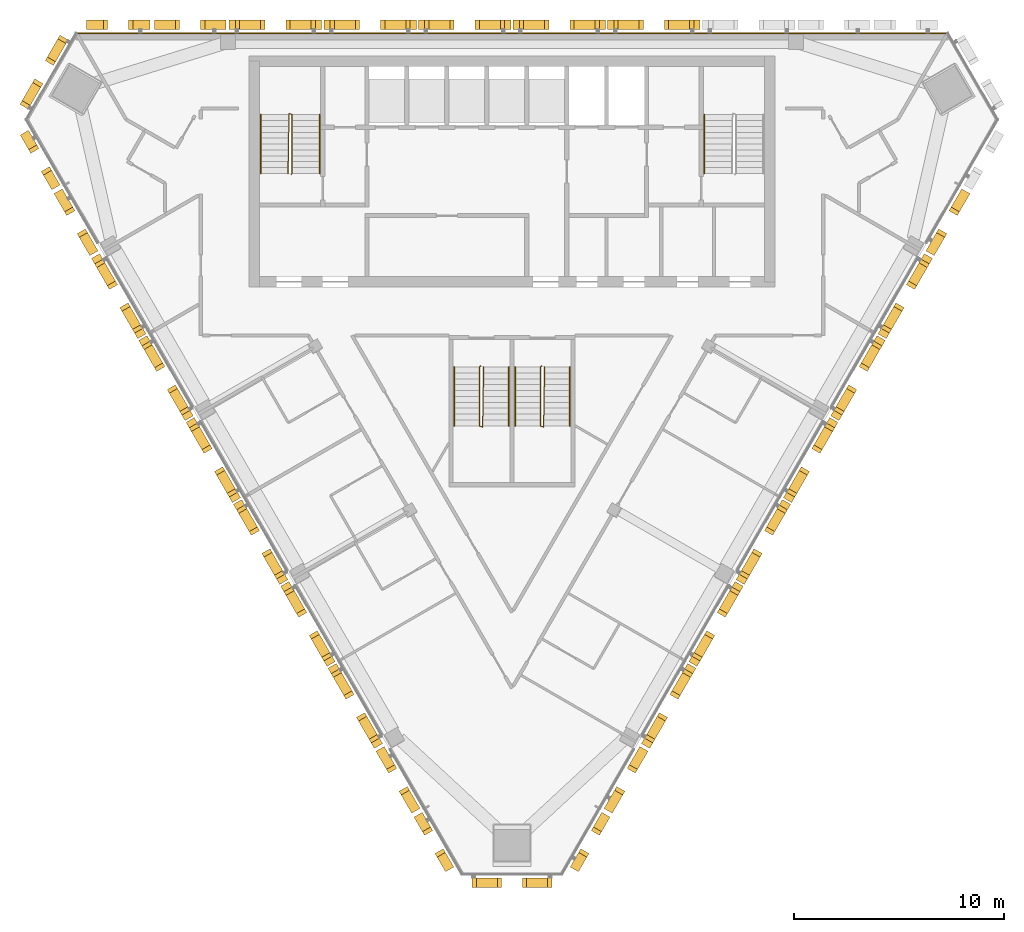
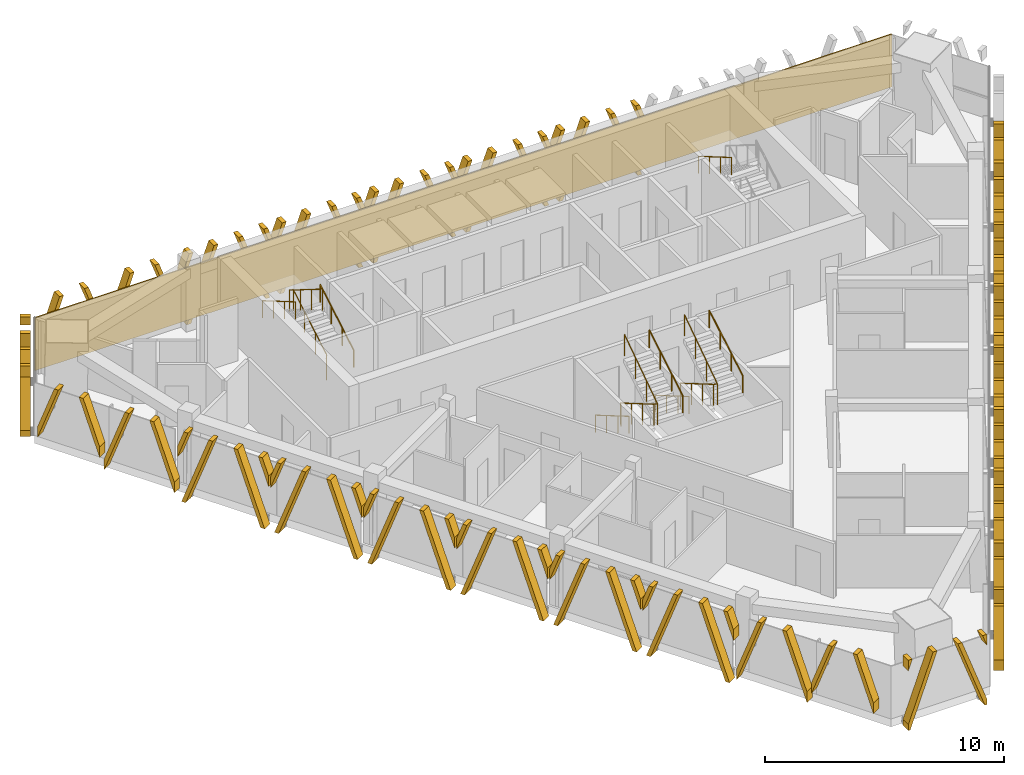
# One storey, part 12 of 14: 28 shading devices, 10 railings, 1 covering.
"""IFC4 building model written with IfcOpenShell, lengths in metres."""

from ifc_helpers import new_model, si_unit, direction, frame, frame_2d, origin, origin_2d, place, context, subcontext, project, spatial, polyline, rectangle, circle, outline, extrude, source, transform, mapped, material, layer, layer_set, type_object, element, save


model = new_model("IFC4")

# Units and contexts
model_context = context("Model", 3, precision=1e-05, world=origin(), true_north=direction((0.0, 1.0)))
body_context = subcontext(model_context, "Body", "Model", "MODEL_VIEW")
ifc_project = project(units=[si_unit("LENGTHUNIT", "METRE"), si_unit("AREAUNIT", "SQUARE_METRE"), si_unit("VOLUMEUNIT", "CUBIC_METRE"), si_unit("PLANEANGLEUNIT", "RADIAN"), si_unit("MASSUNIT", "GRAM", prefix="KILO")], contexts=[model_context])

# Site, building, storey
site_placement = place(None, origin())
site = spatial("IfcSite", under=ifc_project, at=site_placement, CompositionType="ELEMENT")
building_placement = place(site_placement, origin())
building = spatial("IfcBuilding", under=site, at=building_placement, Name="Altiplano Prism Tower", CompositionType="ELEMENT")
storey_placement = place(building_placement, frame((0.0, 0.0, 271.60009765625)))
storey = spatial("IfcBuildingStorey", under=building, at=storey_placement, Name="L70", CompositionType="ELEMENT", Elevation=271.60009765625)

# Railings
ifc_material_1 = material(Name="Steel S355", Category="steel")
railing_type_1 = type_object("IfcRailingType", Name="Stair guard 1100", PredefinedType="GUARDRAIL", material=ifc_material_1)
railing_1_placement = place(storey_placement, frame((74.5, 98.25, 0.0)))
element("IfcRailing", 1, at=railing_1_placement, inside=storey, type_object=railing_type_1, Name="L70 ST1 stair guard 1", PredefinedType="GUARDRAIL", context=body_context, shape_type="SweptSolid", body=[
    extrude(circle(Radius=0.02392578125, at=origin_2d()), frame((0.0, 0.0, 1.076171875), z_axis=(0.280808744504, 0.280808744504, 0.917765164963), x_axis=(-0.707106781187, 0.707106781187, 0.0)), (0.0, 0.0, 1.0), 0.17822265625),
    extrude(circle(Radius=0.02392578125, at=origin_2d()), frame((0.050048828125, 0.050048828125, 1.23974609375), z_axis=(0.0, 0.863393664356, 0.504530851732), x_axis=(-1.0, 0.0, 0.0)), (0.0, 0.0, 1.0), 3.2431640625),
    extrude(circle(Radius=0.02392578125, at=origin_2d()), frame((0.050048828125, 2.85009765625, 2.8759765625), z_axis=(-0.949145278916, 0.314838433982, 0.0), x_axis=(-0.314838433982, -0.949145278916, 0.0)), (0.0, 0.0, 1.0), 0.158203125),
    extrude(circle(Radius=0.02392578125, at=origin_2d()), frame((-0.10009765625, 2.89990234375, 2.8759765625), z_axis=(-0.01477401265, -0.845377694409, 0.533964682676), x_axis=(0.999847325713, -0.01747355902, 0.0)), (0.0, 0.0, 1.0), 3.37109375),
    extrude(circle(Radius=0.02099609375, at=origin_2d()), origin(), (0.0, 0.0, 1.0), 1.052001953125),
    extrude(circle(Radius=0.02099609375, at=origin_2d()), frame((0.050048828125, 0.050048828125, 0.16357421875)), (0.0, 0.0, 1.0), 1.052001953125),
    extrude(circle(Radius=0.02099609375, at=origin_2d()), frame((0.050048828125, 0.9833984375, 0.708984375)), (0.0, 0.0, 1.0), 1.052001953125),
    extrude(circle(Radius=0.02099609375, at=origin_2d()), frame((0.050048828125, 1.916748046875, 1.25439453125)), (0.0, 0.0, 1.0), 1.052001953125),
    extrude(circle(Radius=0.02099609375, at=origin_2d()), frame((0.050048828125, 2.85009765625, 1.7998046875)), (0.0, 0.0, 1.0), 1.052001953125),
    extrude(circle(Radius=0.02099609375, at=origin_2d()), frame((-0.10009765625, 2.89990234375, 1.7998046875)), (0.0, 0.0, 1.0), 1.052001953125),
    extrude(circle(Radius=0.02099609375, at=origin_2d()), frame((-0.11669921875, 1.949951171875, 2.39990234375)), (0.0, 0.0, 1.0), 1.052001953125),
    extrude(circle(Radius=0.02099609375, at=origin_2d()), frame((-0.13330078125, 1.0, 2.999755859375)), (0.0, 0.0, 1.0), 1.052001953125),
    extrude(circle(Radius=0.02099609375, at=origin_2d()), frame((-0.14990234375, 0.050048828125, 3.599853515625)), (0.0, 0.0, 1.0), 1.052001953125),
])
railing_2_placement = place(storey_placement, frame((83.5, 89.14990234375, 0.0)))
element("IfcRailing", 2, at=railing_2_placement, inside=storey, type_object=railing_type_1, Name="L70 ST3A stair guard 1", PredefinedType="GUARDRAIL", context=body_context, shape_type="SweptSolid", body=[
    extrude(circle(Radius=0.02392578125, at=origin_2d()), frame((0.0, 0.0, 1.076171875), z_axis=(-0.280916556609, -0.279546231943, 0.91811752648), x_axis=(0.705375805398, -0.708833529934, 0.0)), (0.0, 0.0, 1.0), 0.17822265625),
    extrude(circle(Radius=0.02392578125, at=origin_2d()), frame((-0.050048828125, -0.0498046875, 1.23974609375), z_axis=(0.0, -0.863393664356, 0.504530851732), x_axis=(1.0, 0.0, 0.0)), (0.0, 0.0, 1.0), 3.2431640625),
    extrude(circle(Radius=0.02392578125, at=origin_2d()), frame((-0.050048828125, -2.849853515625, 2.8759765625), z_axis=(0.948683298051, -0.316227766017, 0.0), x_axis=(0.316227766017, 0.948683298051, 0.0)), (0.0, 0.0, 1.0), 0.158203125),
    extrude(circle(Radius=0.02392578125, at=origin_2d()), frame((0.10009765625, -2.89990234375, 2.8759765625), z_axis=(0.014773108175, 0.84539835705, 0.533931993021), x_axis=(-0.999847351862, 0.017472062685, 0.0)), (0.0, 0.0, 1.0), 3.371337890625),
    extrude(circle(Radius=0.02099609375, at=origin_2d()), origin(), (0.0, 0.0, 1.0), 1.052001953125),
    extrude(circle(Radius=0.02099609375, at=origin_2d()), frame((-0.050048828125, -0.0498046875, 0.16357421875)), (0.0, 0.0, 1.0), 1.052001953125),
    extrude(circle(Radius=0.02099609375, at=origin_2d()), frame((-0.050048828125, -0.983154296875, 0.708984375)), (0.0, 0.0, 1.0), 1.052001953125),
    extrude(circle(Radius=0.02099609375, at=origin_2d()), frame((-0.050048828125, -1.91650390625, 1.25439453125)), (0.0, 0.0, 1.0), 1.052001953125),
    extrude(circle(Radius=0.02099609375, at=origin_2d()), frame((-0.050048828125, -2.849853515625, 1.7998046875)), (0.0, 0.0, 1.0), 1.052001953125),
    extrude(circle(Radius=0.02099609375, at=origin_2d()), frame((0.10009765625, -2.89990234375, 1.7998046875)), (0.0, 0.0, 1.0), 1.052001953125),
    extrude(circle(Radius=0.02099609375, at=origin_2d()), frame((0.11669921875, -1.949951171875, 2.39990234375)), (0.0, 0.0, 1.0), 1.052001953125),
    extrude(circle(Radius=0.02099609375, at=origin_2d()), frame((0.13330078125, -0.999755859375, 2.999755859375)), (0.0, 0.0, 1.0), 1.052001953125),
    extrude(circle(Radius=0.02099609375, at=origin_2d()), frame((0.14990234375, -0.0498046875, 3.599853515625)), (0.0, 0.0, 1.0), 1.052001953125),
])
railing_3_placement = place(storey_placement, frame((86.39990234375, 89.14990234375, 0.0)))
element("IfcRailing", 3, at=railing_3_placement, inside=storey, type_object=railing_type_1, Name="L70 ST3B stair guard 1", PredefinedType="GUARDRAIL", context=body_context, shape_type="SweptSolid", body=[
    extrude(circle(Radius=0.02392578125, at=origin_2d()), frame((0.0, 0.0, 1.076171875), z_axis=(-0.279653641804, -0.279653641804, 0.918470294159), x_axis=(0.707106781187, -0.707106781187, 0.0)), (0.0, 0.0, 1.0), 0.177978515625),
    extrude(circle(Radius=0.02392578125, at=origin_2d()), frame((-0.0498046875, -0.0498046875, 1.23974609375), z_axis=(0.0, -0.863393664356, 0.504530851732), x_axis=(1.0, 0.0, 0.0)), (0.0, 0.0, 1.0), 3.2431640625),
    extrude(circle(Radius=0.02392578125, at=origin_2d()), frame((-0.0498046875, -2.849853515625, 2.8759765625), z_axis=(0.948528701346, -0.316691178788, 0.0), x_axis=(0.316691178788, 0.948528701346, 0.0)), (0.0, 0.0, 1.0), 0.157958984375),
    extrude(circle(Radius=0.02392578125, at=origin_2d()), frame((0.10009765625, -2.89990234375, 2.8759765625), z_axis=(0.014845509451, 0.845397450405, 0.533931420407), x_axis=(-0.999845851991, 0.017557683712, 0.0)), (0.0, 0.0, 1.0), 3.371337890625),
    extrude(circle(Radius=0.02099609375, at=origin_2d()), origin(), (0.0, 0.0, 1.0), 1.052001953125),
    extrude(circle(Radius=0.02099609375, at=origin_2d()), frame((-0.0498046875, -0.0498046875, 0.16357421875)), (0.0, 0.0, 1.0), 1.052001953125),
    extrude(circle(Radius=0.02099609375, at=origin_2d()), frame((-0.0498046875, -0.983154296875, 0.708984375)), (0.0, 0.0, 1.0), 1.052001953125),
    extrude(circle(Radius=0.02099609375, at=origin_2d()), frame((-0.0498046875, -1.91650390625, 1.25439453125)), (0.0, 0.0, 1.0), 1.052001953125),
    extrude(circle(Radius=0.02099609375, at=origin_2d()), frame((-0.0498046875, -2.849853515625, 1.7998046875)), (0.0, 0.0, 1.0), 1.052001953125),
    extrude(circle(Radius=0.02099609375, at=origin_2d()), frame((0.10009765625, -2.89990234375, 1.7998046875)), (0.0, 0.0, 1.0), 1.052001953125),
    extrude(circle(Radius=0.02099609375, at=origin_2d()), frame((0.11669921875, -1.949951171875, 2.39990234375)), (0.0, 0.0, 1.0), 1.052001953125),
    extrude(circle(Radius=0.02099609375, at=origin_2d()), frame((0.133544921875, -0.999755859375, 2.999755859375)), (0.0, 0.0, 1.0), 1.052001953125),
    extrude(circle(Radius=0.02099609375, at=origin_2d()), frame((0.150146484375, -0.0498046875, 3.599853515625)), (0.0, 0.0, 1.0), 1.052001953125),
])
railing_type_2 = type_object("IfcRailingType", Name="Stair handrail 900", PredefinedType="HANDRAIL", material=ifc_material_1)
railing_4_placement = place(storey_placement, frame((75.85009765625, 98.300048828125, 0.16357421875)))
element("IfcRailing", 4, at=railing_4_placement, inside=storey, type_object=railing_type_2, Name="L70 ST1 stair handrail 1", PredefinedType="HANDRAIL", context=body_context, shape_type="SweptSolid", body=[
    extrude(circle(Radius=0.02392578125, at=origin_2d()), frame((0.0, 0.0, 0.8759765625), z_axis=(0.0, 0.863393664356, 0.504530851732), x_axis=(-1.0, 0.0, 0.0)), (0.0, 0.0, 1.0), 3.2431640625),
    extrude(circle(Radius=0.02099609375, at=origin_2d()), origin(), (0.0, 0.0, 1.0), 0.851806640625),
    extrude(circle(Radius=0.02099609375, at=origin_2d()), frame((0.0, 0.933349609375, 0.54541015625)), (0.0, 0.0, 1.0), 0.851806640625),
    extrude(circle(Radius=0.02099609375, at=origin_2d()), frame((0.0, 1.86669921875, 1.0908203125)), (0.0, 0.0, 1.0), 0.851806640625),
    extrude(circle(Radius=0.02099609375, at=origin_2d()), frame((0.0, 2.800048828125, 1.63623046875)), (0.0, 0.0, 1.0), 0.851806640625),
])
for number, where, name in (
    (5, (73.050048828125, 101.10009765625, 1.963623046875), "L70 ST1 stair handrail 2"),
    (6, (94.14990234375, 101.10009765625, 1.963623046875), "L70 ST2 stair handrail 2"),
    (7, (82.25, 89.10009765625, 0.16357421875), "L70 ST3A stair handrail 1"),
):
    element("IfcRailing", number, at=place(storey_placement, frame(where)), inside=storey, type_object=railing_type_2, Name=name, PredefinedType="HANDRAIL", context=body_context, shape_type="SweptSolid", body=[
        extrude(circle(Radius=0.02392578125, at=origin_2d()), frame((0.0, 0.0, 0.8759765625), z_axis=(0.0, -0.863393664356, 0.504530851732), x_axis=(1.0, 0.0, 0.0)), (0.0, 0.0, 1.0), 3.2431640625),
        extrude(circle(Radius=0.02099609375, at=origin_2d()), origin(), (0.0, 0.0, 1.0), 0.851806640625),
        extrude(circle(Radius=0.02099609375, at=origin_2d()), frame((0.0, -0.933349609375, 0.54541015625)), (0.0, 0.0, 1.0), 0.851806640625),
        extrude(circle(Radius=0.02099609375, at=origin_2d()), frame((0.0, -1.86669921875, 1.0908203125)), (0.0, 0.0, 1.0), 0.851806640625),
        extrude(circle(Radius=0.02099609375, at=origin_2d()), frame((0.0, -2.800048828125, 1.63623046875)), (0.0, 0.0, 1.0), 0.851806640625),
    ])
railing_5_placement = place(storey_placement, frame((84.85009765625, 86.300048828125, 1.963623046875)))
element("IfcRailing", 8, at=railing_5_placement, inside=storey, type_object=railing_type_2, Name="L70 ST3A stair handrail 2", PredefinedType="HANDRAIL", context=body_context, shape_type="SweptSolid", body=[
    extrude(circle(Radius=0.02392578125, at=origin_2d()), frame((0.0, 0.0, 0.8759765625), z_axis=(0.0, 0.863393664356, 0.504530851732), x_axis=(-1.0, 0.0, 0.0)), (0.0, 0.0, 1.0), 3.2431640625),
    extrude(circle(Radius=0.02099609375, at=origin_2d()), origin(), (0.0, 0.0, 1.0), 0.851806640625),
    extrude(circle(Radius=0.02099609375, at=origin_2d()), frame((0.0, 0.933349609375, 0.54541015625)), (0.0, 0.0, 1.0), 0.851806640625),
    extrude(circle(Radius=0.02099609375, at=origin_2d()), frame((0.0, 1.86669921875, 1.0908203125)), (0.0, 0.0, 1.0), 0.851806640625),
    extrude(circle(Radius=0.02099609375, at=origin_2d()), frame((0.0, 2.800048828125, 1.63623046875)), (0.0, 0.0, 1.0), 0.851806640625),
])
railing_6_placement = place(storey_placement, frame((85.14990234375, 89.10009765625, 0.16357421875)))
element("IfcRailing", 9, at=railing_6_placement, inside=storey, type_object=railing_type_2, Name="L70 ST3B stair handrail 1", PredefinedType="HANDRAIL", context=body_context, shape_type="SweptSolid", body=[
    extrude(circle(Radius=0.02392578125, at=origin_2d()), frame((0.0, 0.0, 0.8759765625), z_axis=(0.0, -0.863393664356, 0.504530851732), x_axis=(1.0, 0.0, 0.0)), (0.0, 0.0, 1.0), 3.2431640625),
    extrude(circle(Radius=0.02099609375, at=origin_2d()), origin(), (0.0, 0.0, 1.0), 0.851806640625),
    extrude(circle(Radius=0.02099609375, at=origin_2d()), frame((0.0, -0.933349609375, 0.54541015625)), (0.0, 0.0, 1.0), 0.851806640625),
    extrude(circle(Radius=0.02099609375, at=origin_2d()), frame((0.0, -1.86669921875, 1.0908203125)), (0.0, 0.0, 1.0), 0.851806640625),
    extrude(circle(Radius=0.02099609375, at=origin_2d()), frame((0.0, -2.800048828125, 1.63623046875)), (0.0, 0.0, 1.0), 0.851806640625),
])
railing_7_placement = place(storey_placement, frame((87.75, 86.300048828125, 1.963623046875)))
element("IfcRailing", 10, at=railing_7_placement, inside=storey, type_object=railing_type_2, Name="L70 ST3B stair handrail 2", PredefinedType="HANDRAIL", context=body_context, shape_type="SweptSolid", body=[
    extrude(circle(Radius=0.02392578125, at=origin_2d()), frame((0.0, 0.0, 0.8759765625), z_axis=(0.0, 0.863393664356, 0.504530851732), x_axis=(-1.0, 0.0, 0.0)), (0.0, 0.0, 1.0), 3.2431640625),
    extrude(circle(Radius=0.02099609375, at=origin_2d()), origin(), (0.0, 0.0, 1.0), 0.851806640625),
    extrude(circle(Radius=0.02099609375, at=origin_2d()), frame((0.0, 0.933349609375, 0.54541015625)), (0.0, 0.0, 1.0), 0.851806640625),
    extrude(circle(Radius=0.02099609375, at=origin_2d()), frame((0.0, 1.86669921875, 1.0908203125)), (0.0, 0.0, 1.0), 0.851806640625),
    extrude(circle(Radius=0.02099609375, at=origin_2d()), frame((0.0, 2.800048828125, 1.63623046875)), (0.0, 0.0, 1.0), 0.851806640625),
])

# Covering
ifc_material_2 = material(Name="Warm limestone cast stone", Category="masonry")
ifc_layer = layer(ifc_material_2, 0.06005859375)
ifc_layer_set = layer_set([ifc_layer], Name="Warm limestone cast stone")
covering_type = type_object("IfcCoveringType", Name="Stone cladding 60", PredefinedType="CLADDING", material=ifc_layer_set)
covering_placement = place(storey_placement, frame((64.266845703125, 104.969970703125, 0.0), z_axis=(0.0, 0.0, 1.0), x_axis=(1.0, 0.0, 0.0)))
element("IfcCovering", 11, at=covering_placement, inside=storey, type_object=covering_type, Name="Stone cladding north face L70", PredefinedType="CLADDING", context=body_context, shape_type="SweptSolid", body=[
    extrude(rectangle(XDim=41.46630859375, YDim=0.06005859375, at=frame_2d((20.733154296875, 0.0))), origin(), (0.0, 0.0, 1.0), 2.699951171875),
])

# Shading devices
shading_device_type_1 = type_object("IfcShadingDeviceType", Name="Stone fin panel, standard unit", PredefinedType="USERDEFINED", material=ifc_material_2)
shared_shape_1 = source(origin(), body_context, "Body", "SweptSolid", [
    extrude(outline(polyline([(-2.199951171875, 2.226318359375), (-1.699951171875, 3.60009765625), (-1.89990234375, 3.60009765625), (-2.199951171875, 2.77587890625), (-2.199951171875, 2.226318359375)])), frame((0.0, -0.14990234375, 0.0), z_axis=(0.0, -1.0, 0.0), x_axis=(1.0, 0.0, 0.0)), (0.0, 0.0, 1.0), 0.4501953125),
    extrude(outline(polyline([(-2.01025390625, 0.0), (-1.810302734375, 0.0), (-0.5, 3.60009765625), (-0.699951171875, 3.60009765625), (-2.01025390625, 0.0)])), frame((0.0, -0.14990234375, 0.0), z_axis=(0.0, -1.0, 0.0), x_axis=(1.0, 0.0, 0.0)), (0.0, 0.0, 1.0), 0.4501953125),
    extrude(outline(polyline([(1.810302734375, 0.0), (2.01025390625, 0.0), (0.699951171875, 3.60009765625), (0.5, 3.60009765625), (1.810302734375, 0.0)])), frame((0.0, -0.14990234375, 0.0), z_axis=(0.0, -1.0, 0.0), x_axis=(1.0, 0.0, 0.0)), (0.0, 0.0, 1.0), 0.4501953125),
    extrude(outline(polyline([(2.199951171875, 2.77587890625), (1.89990234375, 3.60009765625), (1.699951171875, 3.60009765625), (2.199951171875, 2.226318359375), (2.199951171875, 2.77587890625)])), frame((0.0, -0.14990234375, 0.0), z_axis=(0.0, -1.0, 0.0), x_axis=(1.0, 0.0, 0.0)), (0.0, 0.0, 1.0), 0.4501953125),
])
shading_device_1_placement = place(storey_placement, origin())
element("IfcShadingDevice", 12, at=shading_device_1_placement, inside=storey, type_object=shading_device_type_1, Name="Fin L70 north face 4", ObjectType="FIN", PredefinedType="USERDEFINED", context=body_context, shape_type="MappedRepresentation", body=[
    mapped(shared_shape_1, transform((91.75, 105.0, -0.400146484375), x_axis=(-1.0, 0.0, 0.0), y_axis=(0.0, -1.0, 0.0), z_axis=(0.0, 0.0, 1.0))),
])
shading_device_2_placement = place(storey_placement, origin())
element("IfcShadingDevice", 13, at=shading_device_2_placement, inside=storey, type_object=shading_device_type_1, Name="Fin L70 north face 5", ObjectType="FIN", PredefinedType="USERDEFINED", context=body_context, shape_type="MappedRepresentation", body=[
    mapped(shared_shape_1, transform((87.25, 105.0, -0.400146484375), x_axis=(-1.0, 0.0, 0.0), y_axis=(0.0, -1.0, 0.0), z_axis=(0.0, 0.0, 1.0))),
])
shading_device_3_placement = place(storey_placement, origin())
element("IfcShadingDevice", 14, at=shading_device_3_placement, inside=storey, type_object=shading_device_type_1, Name="Fin L70 north face 6", ObjectType="FIN", PredefinedType="USERDEFINED", context=body_context, shape_type="MappedRepresentation", body=[
    mapped(shared_shape_1, transform((82.75, 105.0, -0.400146484375), x_axis=(-1.0, 0.0, 0.0), y_axis=(0.0, -1.0, 0.0), z_axis=(0.0, 0.0, 1.0))),
])
shading_device_4_placement = place(storey_placement, origin())
element("IfcShadingDevice", 15, at=shading_device_4_placement, inside=storey, type_object=shading_device_type_1, Name="Fin L70 north face 7", ObjectType="FIN", PredefinedType="USERDEFINED", context=body_context, shape_type="MappedRepresentation", body=[
    mapped(shared_shape_1, transform((78.25, 105.0, -0.400146484375), x_axis=(-1.0, 0.0, 0.0), y_axis=(0.0, -1.0, 0.0), z_axis=(0.0, 0.0, 1.0))),
])
shading_device_5_placement = place(storey_placement, origin())
element("IfcShadingDevice", 16, at=shading_device_5_placement, inside=storey, type_object=shading_device_type_1, Name="Fin L70 north face 8", ObjectType="FIN", PredefinedType="USERDEFINED", context=body_context, shape_type="MappedRepresentation", body=[
    mapped(shared_shape_1, transform((73.75, 105.0, -0.400146484375), x_axis=(-1.0, 0.0, 0.0), y_axis=(0.0, -1.0, 0.0), z_axis=(0.0, 0.0, 1.0))),
])
shading_device_6_placement = place(storey_placement, origin())
element("IfcShadingDevice", 17, at=shading_device_6_placement, inside=storey, type_object=shading_device_type_1, Name="Fin L70 south-west face 3", ObjectType="FIN", PredefinedType="USERDEFINED", context=body_context, shape_type="MappedRepresentation", body=[
    mapped(shared_shape_1, transform((66.623291015625, 92.65625, -0.400146484375), x_axis=(0.499999994108, -0.866025407186, 0.0), y_axis=(0.866025407186, 0.499999994108, 0.0), z_axis=(0.0, 0.0, 1.0))),
])
shading_device_7_placement = place(storey_placement, origin())
element("IfcShadingDevice", 18, at=shading_device_7_placement, inside=storey, type_object=shading_device_type_1, Name="Fin L70 south-west face 4", ObjectType="FIN", PredefinedType="USERDEFINED", context=body_context, shape_type="MappedRepresentation", body=[
    mapped(shared_shape_1, transform((68.873291015625, 88.759033203125, -0.400146484375), x_axis=(0.499999994108, -0.866025407186, 0.0), y_axis=(0.866025407186, 0.499999994108, 0.0), z_axis=(0.0, 0.0, 1.0))),
])
shading_device_8_placement = place(storey_placement, origin())
element("IfcShadingDevice", 19, at=shading_device_8_placement, inside=storey, type_object=shading_device_type_1, Name="Fin L70 south-west face 5", ObjectType="FIN", PredefinedType="USERDEFINED", context=body_context, shape_type="MappedRepresentation", body=[
    mapped(shared_shape_1, transform((71.123291015625, 84.862060546875, -0.400146484375), x_axis=(0.499999994108, -0.866025407186, 0.0), y_axis=(0.866025407186, 0.499999994108, 0.0), z_axis=(0.0, 0.0, 1.0))),
])
shading_device_9_placement = place(storey_placement, origin())
element("IfcShadingDevice", 20, at=shading_device_9_placement, inside=storey, type_object=shading_device_type_1, Name="Fin L70 south-west face 6", ObjectType="FIN", PredefinedType="USERDEFINED", context=body_context, shape_type="MappedRepresentation", body=[
    mapped(shared_shape_1, transform((73.373291015625, 80.96484375, -0.400146484375), x_axis=(0.499999994108, -0.866025407186, 0.0), y_axis=(0.866025407186, 0.499999994108, 0.0), z_axis=(0.0, 0.0, 1.0))),
])
shading_device_10_placement = place(storey_placement, origin())
element("IfcShadingDevice", 21, at=shading_device_10_placement, inside=storey, type_object=shading_device_type_1, Name="Fin L70 south-west face 7", ObjectType="FIN", PredefinedType="USERDEFINED", context=body_context, shape_type="MappedRepresentation", body=[
    mapped(shared_shape_1, transform((75.623291015625, 77.06787109375, -0.400146484375), x_axis=(0.499999994108, -0.866025407186, 0.0), y_axis=(0.866025407186, 0.499999994108, 0.0), z_axis=(0.0, 0.0, 1.0))),
])
shading_device_11_placement = place(storey_placement, origin())
element("IfcShadingDevice", 22, at=shading_device_11_placement, inside=storey, type_object=shading_device_type_1, Name="Fin L70 south-west face 8", ObjectType="FIN", PredefinedType="USERDEFINED", context=body_context, shape_type="MappedRepresentation", body=[
    mapped(shared_shape_1, transform((77.873291015625, 73.170654296875, -0.400146484375), x_axis=(0.499999994108, -0.866025407186, 0.0), y_axis=(0.866025407186, 0.499999994108, 0.0), z_axis=(0.0, 0.0, 1.0))),
])
shading_device_12_placement = place(storey_placement, origin())
element("IfcShadingDevice", 23, at=shading_device_12_placement, inside=storey, type_object=shading_device_type_1, Name="Fin L70 south-east face 3", ObjectType="FIN", PredefinedType="USERDEFINED", context=body_context, shape_type="MappedRepresentation", body=[
    mapped(shared_shape_1, transform((92.126708984375, 73.170654296875, -0.400146484375), x_axis=(0.499999994108, 0.866025407186, 0.0), y_axis=(-0.866025407186, 0.499999994108, 0.0), z_axis=(0.0, 0.0, 1.0))),
])
shading_device_13_placement = place(storey_placement, origin())
element("IfcShadingDevice", 24, at=shading_device_13_placement, inside=storey, type_object=shading_device_type_1, Name="Fin L70 south-east face 4", ObjectType="FIN", PredefinedType="USERDEFINED", context=body_context, shape_type="MappedRepresentation", body=[
    mapped(shared_shape_1, transform((94.376708984375, 77.06787109375, -0.400146484375), x_axis=(0.499999994108, 0.866025407186, 0.0), y_axis=(-0.866025407186, 0.499999994108, 0.0), z_axis=(0.0, 0.0, 1.0))),
])
shading_device_14_placement = place(storey_placement, origin())
element("IfcShadingDevice", 25, at=shading_device_14_placement, inside=storey, type_object=shading_device_type_1, Name="Fin L70 south-east face 5", ObjectType="FIN", PredefinedType="USERDEFINED", context=body_context, shape_type="MappedRepresentation", body=[
    mapped(shared_shape_1, transform((96.626708984375, 80.96484375, -0.400146484375), x_axis=(0.499999994108, 0.866025407186, 0.0), y_axis=(-0.866025407186, 0.499999994108, 0.0), z_axis=(0.0, 0.0, 1.0))),
])
shading_device_15_placement = place(storey_placement, origin())
element("IfcShadingDevice", 26, at=shading_device_15_placement, inside=storey, type_object=shading_device_type_1, Name="Fin L70 south-east face 6", ObjectType="FIN", PredefinedType="USERDEFINED", context=body_context, shape_type="MappedRepresentation", body=[
    mapped(shared_shape_1, transform((98.876708984375, 84.862060546875, -0.400146484375), x_axis=(0.499999994108, 0.866025407186, 0.0), y_axis=(-0.866025407186, 0.499999994108, 0.0), z_axis=(0.0, 0.0, 1.0))),
])
shading_device_16_placement = place(storey_placement, origin())
element("IfcShadingDevice", 27, at=shading_device_16_placement, inside=storey, type_object=shading_device_type_1, Name="Fin L70 south-east face 7", ObjectType="FIN", PredefinedType="USERDEFINED", context=body_context, shape_type="MappedRepresentation", body=[
    mapped(shared_shape_1, transform((101.126708984375, 88.759033203125, -0.400146484375), x_axis=(0.499999994108, 0.866025407186, 0.0), y_axis=(-0.866025407186, 0.499999994108, 0.0), z_axis=(0.0, 0.0, 1.0))),
])
shading_device_17_placement = place(storey_placement, origin())
element("IfcShadingDevice", 28, at=shading_device_17_placement, inside=storey, type_object=shading_device_type_1, Name="Fin L70 south-east face 8", ObjectType="FIN", PredefinedType="USERDEFINED", context=body_context, shape_type="MappedRepresentation", body=[
    mapped(shared_shape_1, transform((103.376708984375, 92.65625, -0.400146484375), x_axis=(0.499999994108, 0.866025407186, 0.0), y_axis=(-0.866025407186, 0.499999994108, 0.0), z_axis=(0.0, 0.0, 1.0))),
])
shading_device_type_2 = type_object("IfcShadingDeviceType", Name="Stone fin panel, narrow closing bay", PredefinedType="USERDEFINED", material=ifc_material_2)
shared_shape_2 = source(origin(), body_context, "Body", "SweptSolid", [
    extrude(outline(polyline([(-1.699951171875, 0.302978515625), (-0.5, 3.60009765625), (-0.699951171875, 3.60009765625), (-1.699951171875, 0.8525390625), (-1.699951171875, 0.302978515625)])), frame((0.0, -0.14990234375, 0.0), z_axis=(0.0, -1.0, 0.0), x_axis=(1.0, 0.0, 0.0)), (0.0, 0.0, 1.0), 0.4501953125),
    extrude(outline(polyline([(1.699951171875, 0.8525390625), (0.699951171875, 3.60009765625), (0.5, 3.60009765625), (1.699951171875, 0.302978515625), (1.699951171875, 0.8525390625)])), frame((0.0, -0.14990234375, 0.0), z_axis=(0.0, -1.0, 0.0), x_axis=(1.0, 0.0, 0.0)), (0.0, 0.0, 1.0), 0.4501953125),
])
shading_device_18_placement = place(storey_placement, origin())
element("IfcShadingDevice", 29, at=shading_device_18_placement, inside=storey, type_object=shading_device_type_2, Name="Fin L70 north face 9", ObjectType="FIN", PredefinedType="USERDEFINED", context=body_context, shape_type="MappedRepresentation", body=[
    mapped(shared_shape_2, transform((69.691650390625, 105.0, -0.400146484375), x_axis=(-1.0, 0.0, 0.0), y_axis=(0.0, -1.0, 0.0), z_axis=(0.0, 0.0, 1.0))),
])
shading_device_19_placement = place(storey_placement, origin())
element("IfcShadingDevice", 30, at=shading_device_19_placement, inside=storey, type_object=shading_device_type_2, Name="Fin L70 south-west face 2", ObjectType="FIN", PredefinedType="USERDEFINED", context=body_context, shape_type="MappedRepresentation", body=[
    mapped(shared_shape_2, transform((64.59423828125, 96.1708984375, -0.400146484375), x_axis=(0.499999994108, -0.866025407186, 0.0), y_axis=(0.866025407186, 0.499999994108, 0.0), z_axis=(0.0, 0.0, 1.0))),
])
shading_device_20_placement = place(storey_placement, origin())
element("IfcShadingDevice", 31, at=shading_device_20_placement, inside=storey, type_object=shading_device_type_2, Name="Fin L70 south-west face 9", ObjectType="FIN", PredefinedType="USERDEFINED", context=body_context, shape_type="MappedRepresentation", body=[
    mapped(shared_shape_2, transform((79.90234375, 69.656005859375, -0.400146484375), x_axis=(0.499999994108, -0.866025407186, 0.0), y_axis=(0.866025407186, 0.499999994108, 0.0), z_axis=(0.0, 0.0, 1.0))),
])
shading_device_21_placement = place(storey_placement, origin())
element("IfcShadingDevice", 32, at=shading_device_21_placement, inside=storey, type_object=shading_device_type_2, Name="Fin L70 south-east face 2", ObjectType="FIN", PredefinedType="USERDEFINED", context=body_context, shape_type="MappedRepresentation", body=[
    mapped(shared_shape_2, transform((90.09765625, 69.656005859375, -0.400146484375), x_axis=(0.499999994108, 0.866025407186, 0.0), y_axis=(-0.866025407186, 0.499999994108, 0.0), z_axis=(0.0, 0.0, 1.0))),
])
shading_device_22_placement = place(storey_placement, origin())
element("IfcShadingDevice", 33, at=shading_device_22_placement, inside=storey, type_object=shading_device_type_2, Name="Fin L70 south-east face 9", ObjectType="FIN", PredefinedType="USERDEFINED", context=body_context, shape_type="MappedRepresentation", body=[
    mapped(shared_shape_2, transform((105.40576171875, 96.1708984375, -0.400146484375), x_axis=(0.499999994108, 0.866025407186, 0.0), y_axis=(-0.866025407186, 0.499999994108, 0.0), z_axis=(0.0, 0.0, 1.0))),
])
shading_device_type_3 = type_object("IfcShadingDeviceType", Name="Stone fin panel, chamfer unit", PredefinedType="USERDEFINED", material=ifc_material_2)
shared_shape_3 = source(origin(), body_context, "Body", "SweptSolid", [
    extrude(outline(polyline([(-1.89990234375, 0.0), (-1.810302734375, 0.0), (-0.5, 3.60009765625), (-0.699951171875, 3.60009765625), (-1.89990234375, 0.302978515625), (-1.89990234375, 0.0)])), frame((0.0, -0.14990234375, 0.0), z_axis=(0.0, -1.0, 0.0), x_axis=(1.0, 0.0, 0.0)), (0.0, 0.0, 1.0), 0.4501953125),
    extrude(outline(polyline([(-1.89990234375, 3.050537109375), (-1.699951171875, 3.60009765625), (-1.89990234375, 3.60009765625), (-1.89990234375, 3.050537109375)])), frame((0.0, -0.14990234375, 0.0), z_axis=(0.0, -1.0, 0.0), x_axis=(1.0, 0.0, 0.0)), (0.0, 0.0, 1.0), 0.4501953125),
    extrude(outline(polyline([(1.810302734375, 0.0), (1.89990234375, 0.0), (1.89990234375, 0.302978515625), (0.699951171875, 3.60009765625), (0.5, 3.60009765625), (1.810302734375, 0.0)])), frame((0.0, -0.14990234375, 0.0), z_axis=(0.0, -1.0, 0.0), x_axis=(1.0, 0.0, 0.0)), (0.0, 0.0, 1.0), 0.4501953125),
    extrude(outline(polyline([(1.89990234375, 3.60009765625), (1.699951171875, 3.60009765625), (1.89990234375, 3.050537109375), (1.89990234375, 3.60009765625)])), frame((0.0, -0.14990234375, 0.0), z_axis=(0.0, -1.0, 0.0), x_axis=(1.0, 0.0, 0.0)), (0.0, 0.0, 1.0), 0.4501953125),
])
shading_device_23_placement = place(storey_placement, origin())
element("IfcShadingDevice", 34, at=shading_device_23_placement, inside=storey, type_object=shading_device_type_3, Name="Fin L70 north-west chamfer 1", ObjectType="FIN", PredefinedType="USERDEFINED", context=body_context, shape_type="MappedRepresentation", body=[
    mapped(shared_shape_3, transform((63.074462890625, 102.934326171875, -0.400146484375), x_axis=(-0.500000034067, -0.866025384116, 0.0), y_axis=(0.866025384116, -0.500000034067, 0.0), z_axis=(0.0, 0.0, 1.0))),
])
shading_device_24_placement = place(storey_placement, origin())
element("IfcShadingDevice", 35, at=shading_device_24_placement, inside=storey, type_object=shading_device_type_3, Name="Fin L70 south chamfer 1", ObjectType="FIN", PredefinedType="USERDEFINED", context=body_context, shape_type="MappedRepresentation", body=[
    mapped(shared_shape_3, transform((85.0, 64.9580078125, -0.400146484375), x_axis=(1.0, 0.0, 0.0), y_axis=(0.0, 1.0, 0.0), z_axis=(0.0, 0.0, 1.0))),
])
shared_shape_4 = source(origin(), body_context, "Body", "SweptSolid", [
    extrude(outline(polyline([(-1.5, 0.8525390625), (-0.5, 3.60009765625), (-0.699951171875, 3.60009765625), (-1.5, 1.402099609375), (-1.5, 0.8525390625)])), frame((0.0, -0.14990234375, 0.0), z_axis=(0.0, -1.0, 0.0), x_axis=(1.0, 0.0, 0.0)), (0.0, 0.0, 1.0), 0.4501953125),
    extrude(outline(polyline([(1.5, 1.402099609375), (0.699951171875, 3.60009765625), (0.5, 3.60009765625), (1.5, 0.8525390625), (1.5, 1.402099609375)])), frame((0.0, -0.14990234375, 0.0), z_axis=(0.0, -1.0, 0.0), x_axis=(1.0, 0.0, 0.0)), (0.0, 0.0, 1.0), 0.4501953125),
])
shading_device_25_placement = place(storey_placement, origin())
element("IfcShadingDevice", 36, at=shading_device_25_placement, inside=storey, type_object=shading_device_type_2, Name="Fin L70 north face 10", ObjectType="FIN", PredefinedType="USERDEFINED", context=body_context, shape_type="MappedRepresentation", body=[
    mapped(shared_shape_4, transform((66.275146484375, 105.0, -0.400146484375), x_axis=(-1.0, 0.0, 0.0), y_axis=(0.0, -1.0, 0.0), z_axis=(0.0, 0.0, 1.0))),
])
shading_device_26_placement = place(storey_placement, origin())
element("IfcShadingDevice", 37, at=shading_device_26_placement, inside=storey, type_object=shading_device_type_2, Name="Fin L70 south-west face 1", ObjectType="FIN", PredefinedType="USERDEFINED", context=body_context, shape_type="MappedRepresentation", body=[
    mapped(shared_shape_4, transform((62.885986328125, 99.129638671875, -0.400146484375), x_axis=(0.499999994108, -0.866025407186, 0.0), y_axis=(0.866025407186, 0.499999994108, 0.0), z_axis=(0.0, 0.0, 1.0))),
])
shading_device_27_placement = place(storey_placement, origin())
element("IfcShadingDevice", 38, at=shading_device_27_placement, inside=storey, type_object=shading_device_type_2, Name="Fin L70 south-west face 10", ObjectType="FIN", PredefinedType="USERDEFINED", context=body_context, shape_type="MappedRepresentation", body=[
    mapped(shared_shape_4, transform((81.610595703125, 66.697265625, -0.400146484375), x_axis=(0.499999994108, -0.866025407186, 0.0), y_axis=(0.866025407186, 0.499999994108, 0.0), z_axis=(0.0, 0.0, 1.0))),
])
shading_device_28_placement = place(storey_placement, origin())
element("IfcShadingDevice", 39, at=shading_device_28_placement, inside=storey, type_object=shading_device_type_2, Name="Fin L70 south-east face 1", ObjectType="FIN", PredefinedType="USERDEFINED", context=body_context, shape_type="MappedRepresentation", body=[
    mapped(shared_shape_4, transform((88.389404296875, 66.697265625, -0.400146484375), x_axis=(0.499999994108, 0.866025407186, 0.0), y_axis=(-0.866025407186, 0.499999994108, 0.0), z_axis=(0.0, 0.0, 1.0))),
])

save(model, "model.ifc")
